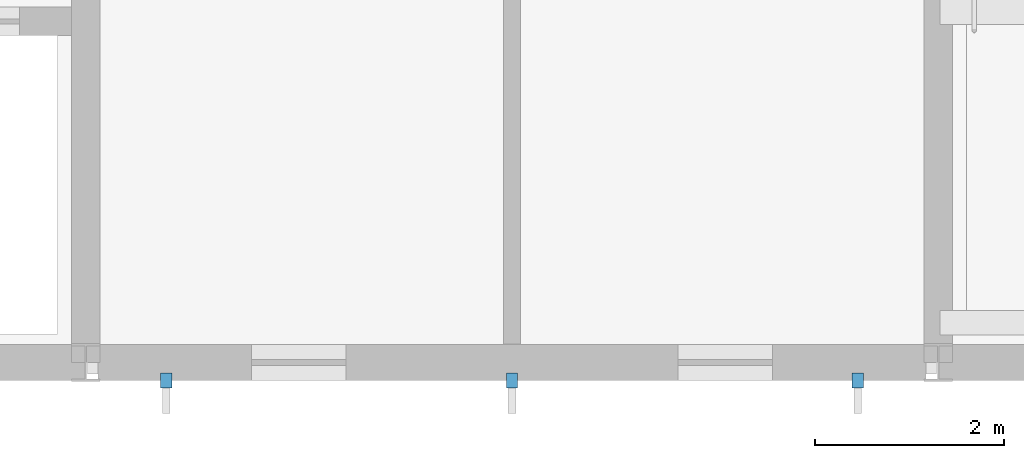
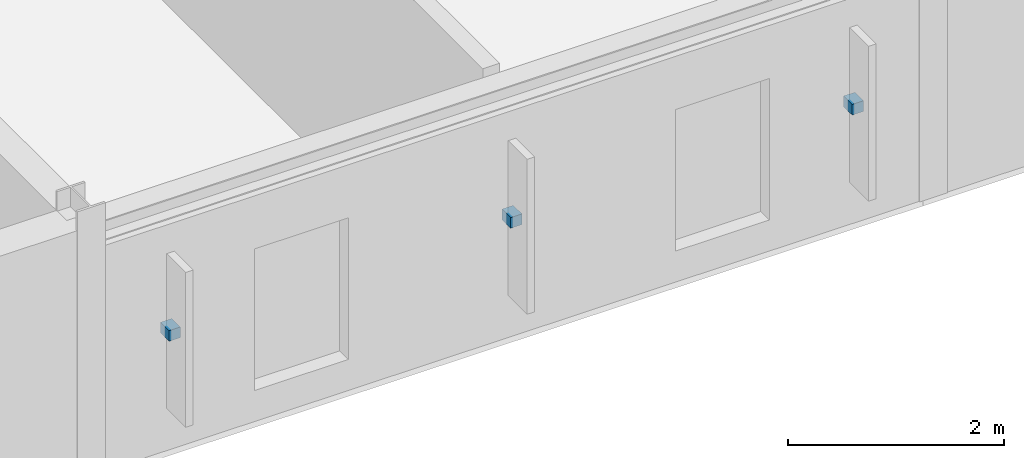
# One storey, part 19 of 24: 3 discrete accessories.
"""IFC4 building model written with IfcOpenShell, lengths in metres."""

import ifcopenshell
import ifcopenshell.guid

model = None  # the IFC model being written
_history = None  # IfcOwnerHistory: only IFC2X3 demands one
_inside = {}  # id of a spatial element -> (the spatial element, [elements in it])
_under = {}  # id of a project, library or spatial element -> (it, [spatial elements below it])
_declared = {}  # id of a project -> (the project, [libraries it declares])
_typed = {}  # id of a type object -> (the type object, [elements of that type])
_made_of = {}  # id of a material, layer set ... -> (it, [elements and type objects made of it])


def new_model(schema):
    """Start an empty IFC model of exactly this schema.

    Asked for "IFC4X3", IfcOpenShell would pick the latest addendum, in which some entities
    have other attributes; the version numbers below select the first issue.
    IFC2X3 requires an IfcOwnerHistory on every rooted entity: one is made here for all.
    """
    global model, _history
    if schema == "IFC4X3":
        model = ifcopenshell.file(schema_version=(4, 3, 0, 0))
    else:
        model = ifcopenshell.file(schema=schema)
    _inside.clear()
    _under.clear()
    _declared.clear()
    _typed.clear()
    _made_of.clear()
    _history = None
    if model.schema == "IFC2X3":
        org = make("IfcOrganization", Name="unknown")
        user = make(
            "IfcPersonAndOrganization",
            ThePerson=make("IfcPerson", FamilyName="unknown"),
            TheOrganization=org,
        )
        app = make(
            "IfcApplication",
            ApplicationDeveloper=org,
            Version="unknown",
            ApplicationFullName="unknown",
            ApplicationIdentifier="unknown",
        )
        _history = make(
            "IfcOwnerHistory",
            OwningUser=user,
            OwningApplication=app,
            ChangeAction="ADDED",
            CreationDate=0,
        )
    return model


def make(cls, **values):
    """One entity of the class cls with the attributes given. An attribute that is None is left unset."""
    return model.create_entity(
        cls, **{name: value for name, value in values.items() if value is not None}
    )


def rooted(cls, **values):
    """An entity with a GlobalId (a new one), such as an element, a storey or a relation."""
    return make(cls, GlobalId=ifcopenshell.guid.new(), OwnerHistory=_history, **values)


def si_unit(unit_type, name, prefix=None):
    """IfcSIUnit, for example si_unit("LENGTHUNIT", "METRE", prefix="MILLI")."""
    return make("IfcSIUnit", UnitType=unit_type, Prefix=prefix, Name=name)


def assignment(units):
    """IfcUnitAssignment: the units of a project."""
    return None if units is None else make("IfcUnitAssignment", Units=units)


def point(xyz):
    """IfcCartesianPoint."""
    return None if xyz is None else make("IfcCartesianPoint", Coordinates=xyz)


def direction(xyz):
    """IfcDirection."""
    return None if xyz is None else make("IfcDirection", DirectionRatios=xyz)


def frame(location, z_axis=None, x_axis=None):
    """IfcAxis2Placement3D, a coordinate frame: its origin and axes. An axis left out is left unset."""
    return make(
        "IfcAxis2Placement3D",
        Location=point(location),
        Axis=direction(z_axis),
        RefDirection=direction(x_axis),
    )


def frame_2d(location, x_axis=None):
    """IfcAxis2Placement2D, a coordinate frame in the plane: its origin and x axis."""
    return make(
        "IfcAxis2Placement2D", Location=point(location), RefDirection=direction(x_axis)
    )


def origin():
    """The frame at (0, 0, 0) with its axes left unset."""
    return frame((0.0, 0.0, 0.0))


def origin_2d():
    """The frame at (0, 0) in the plane with its x axis left unset."""
    return frame_2d((0.0, 0.0))


def place(relative_to, where):
    """IfcLocalPlacement: puts the frame where relative to a parent placement (None: the world)."""
    return make(
        "IfcLocalPlacement", PlacementRelTo=relative_to, RelativePlacement=where
    )


def context(
    kind, dimensions, precision=None, world=None, true_north=None, identifier=None
):
    """IfcGeometricRepresentationContext, for example the 3D "Model" context."""
    return make(
        "IfcGeometricRepresentationContext",
        ContextIdentifier=identifier,
        ContextType=kind,
        CoordinateSpaceDimension=dimensions,
        Precision=precision,
        WorldCoordinateSystem=world,
        TrueNorth=true_north,
    )


def subcontext(parent, identifier, kind, view, scale=None):
    """IfcGeometricRepresentationSubContext, for example "Body" below "Model"."""
    return make(
        "IfcGeometricRepresentationSubContext",
        ContextIdentifier=identifier,
        ContextType=kind,
        ParentContext=parent,
        TargetScale=scale,
        TargetView=view,
    )


def project(units=None, contexts=None):
    """IfcProject with its units and contexts."""
    return rooted(
        "IfcProject",
        Name="project",
        RepresentationContexts=contexts,
        UnitsInContext=assignment(units),
    )


def spatial(cls, under=None, at=None, **own):
    """A site, building, storey or space (cls), placed at a placement, below another one or the project."""
    s = rooted(cls, ObjectPlacement=at, **own)
    if under is not None:
        _under.setdefault(under.id(), (under, []))[1].append(s)
    return s


def profile(cls, at=None, kind="AREA", **sizes):
    """A parametric profile (cls). Its sizes go by their IFC names, for example OverallWidth=200.0."""
    return make(cls, ProfileType=kind, Position=at, **sizes)


def rectangle(**sizes):
    """IfcRectangleProfileDef."""
    return profile("IfcRectangleProfileDef", **sizes)


def extrude(swept, where, along, depth):
    """IfcExtrudedAreaSolid: the profile swept, set in the frame where, extruded along a direction by depth."""
    return make(
        "IfcExtrudedAreaSolid",
        SweptArea=swept,
        Position=where,
        ExtrudedDirection=direction(along),
        Depth=depth,
    )


def shape(context_of_items, identifier, shape_type, items):
    """IfcShapeRepresentation: the items that make up one representation, for example the "Body"."""
    return make(
        "IfcShapeRepresentation",
        ContextOfItems=context_of_items,
        RepresentationIdentifier=identifier,
        RepresentationType=shape_type,
        Items=items,
    )


def material(Name=None, Category=None):
    """IfcMaterial."""
    return make("IfcMaterial", Name=Name, Category=Category)


def made_of(thing, what):
    """Note that an element or type object is made of a material, layer set ...; save() writes the relation."""
    if what is not None:
        _made_of.setdefault(what.id(), (what, []))[1].append(thing)
    return thing


def type_object(cls, material=None, **own):
    """A type object (cls), such as IfcWallType, which elements share."""
    return made_of(rooted(cls, **own), material)


def element(
    cls,
    number,
    at=None,
    inside=None,
    cuts=None,
    type_object=None,
    material=None,
    context=None,
    identifier="Body",
    shape_type=None,
    held_by="IfcProductDefinitionShape",
    body=None,
    shapes=None,
    **own,
):
    """One element of the class cls, such as IfcWall. Its Tag is "e" and its number.

    at: its placement. inside: the storey or other place that contains it. cuts: it is an
    opening in that element (IfcRelVoidsElement). A single representation is given by context,
    identifier, shape_type and body (its items); several are given by shapes. held_by: the class
    of the entity that holds the representations. save() writes the other relations.
    """
    e = rooted(cls, Tag="e%d" % number, ObjectPlacement=at, **own)
    if body is not None:
        shapes = [shape(context, identifier, shape_type, body)]
    if shapes is not None:
        e.Representation = make(held_by, Representations=shapes)
    if inside is not None:
        _inside.setdefault(inside.id(), (inside, []))[1].append(e)
    if cuts is not None:
        rooted(
            "IfcRelVoidsElement", RelatingBuildingElement=cuts, RelatedOpeningElement=e
        )
    if type_object is not None:
        _typed.setdefault(type_object.id(), (type_object, []))[1].append(e)
    return made_of(e, material)


def aggregate(whole, parts):
    """IfcRelAggregates: a whole, such as a stair, and the parts it consists of."""
    return rooted("IfcRelAggregates", RelatingObject=whole, RelatedObjects=parts)


def save(model, path):
    """Write the relations noted so far, then the file.

    IfcRelAggregates (storeys below a building ...), IfcRelContainedInSpatialStructure (elements
    in a storey), IfcRelDefinesByType, IfcRelAssociatesMaterial and IfcRelDeclares: one each for
    every whole, place, type object, material and project.
    """
    for whole, parts in _under.values():
        aggregate(whole, parts)
    for where, things in _inside.values():
        rooted(
            "IfcRelContainedInSpatialStructure",
            RelatedElements=things,
            RelatingStructure=where,
        )
    for kind, things in _typed.values():
        rooted("IfcRelDefinesByType", RelatedObjects=things, RelatingType=kind)
    for what, things in _made_of.values():
        rooted("IfcRelAssociatesMaterial", RelatedObjects=things, RelatingMaterial=what)
    for by, libraries in _declared.values():
        rooted("IfcRelDeclares", RelatingContext=by, RelatedDefinitions=libraries)
    model.write(path)


model = new_model("IFC4")

# Units and contexts
model_context = context("Model", 3, precision=1e-05, world=origin(), true_north=direction((0.0, 1.0)))
body_context = subcontext(model_context, "Body", "Model", "MODEL_VIEW")
ifc_project = project(units=[si_unit("LENGTHUNIT", "METRE"), si_unit("AREAUNIT", "SQUARE_METRE"), si_unit("VOLUMEUNIT", "CUBIC_METRE"), si_unit("PLANEANGLEUNIT", "RADIAN"), si_unit("MASSUNIT", "GRAM", prefix="KILO")], contexts=[model_context])

# Site, building, storey
site_placement = place(None, origin())
site = spatial("IfcSite", under=ifc_project, at=site_placement, CompositionType="ELEMENT")
building_placement = place(site_placement, origin())
building = spatial("IfcBuilding", under=site, at=building_placement, Name="Palais des Congres Ocreval", CompositionType="ELEMENT")
storey_placement = place(building_placement, frame((0.0, 0.0, 17.60009765625)))
storey = spatial("IfcBuildingStorey", under=building, at=storey_placement, Name="L05", CompositionType="ELEMENT", Elevation=17.60009765625)

# Discrete accessories
ifc_material = material(Name="Steel S355", Category="steel")
discrete_accessory_type = type_object("IfcDiscreteAccessoryType", Name="Stainless Brise-Soleil Fixing Bracket", PredefinedType="BRACKET", material=ifc_material)
for number, where, z_axis, x_axis, name in (
    (1, (53.14990234375, -0.18994140625, 1.289794921875), (0.0, 0.0, 1.0), (0.0, -1.0, 0.0), "Celosia Fixing Bracket BK01"),
    (2, (49.5, -0.18994140625, 1.289794921875), (0.0, 0.0, 1.0), (0.0, -1.0, 0.0), "Celosia Fixing Bracket BK01"),
    (3, (45.85009765625, -0.18994140625, 1.289794921875), (0.0, 0.0, 1.0), (0.0, -1.0, 0.0), "Celosia Fixing Bracket BK01"),
):
    element("IfcDiscreteAccessory", number, at=place(storey_placement, frame(where, z_axis=z_axis, x_axis=x_axis)), inside=storey, type_object=discrete_accessory_type, Name=name, PredefinedType="BRACKET", context=body_context, shape_type="SweptSolid", body=[
        extrude(rectangle(XDim=0.159912109375, YDim=0.1201171875, at=origin_2d()), origin(), (0.0, 0.0, 1.0), 0.1201171875),
    ])

save(model, "model.ifc")
